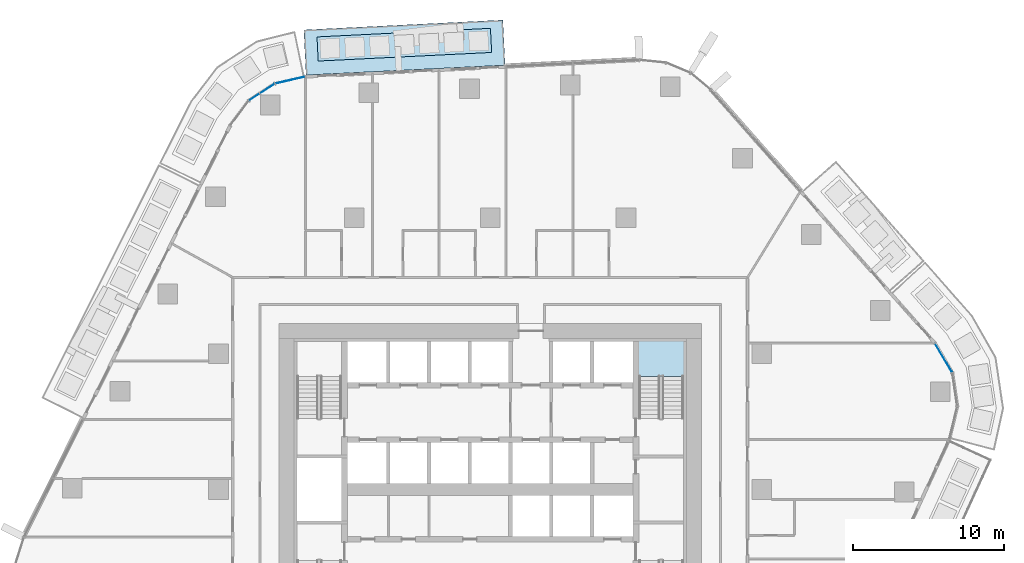
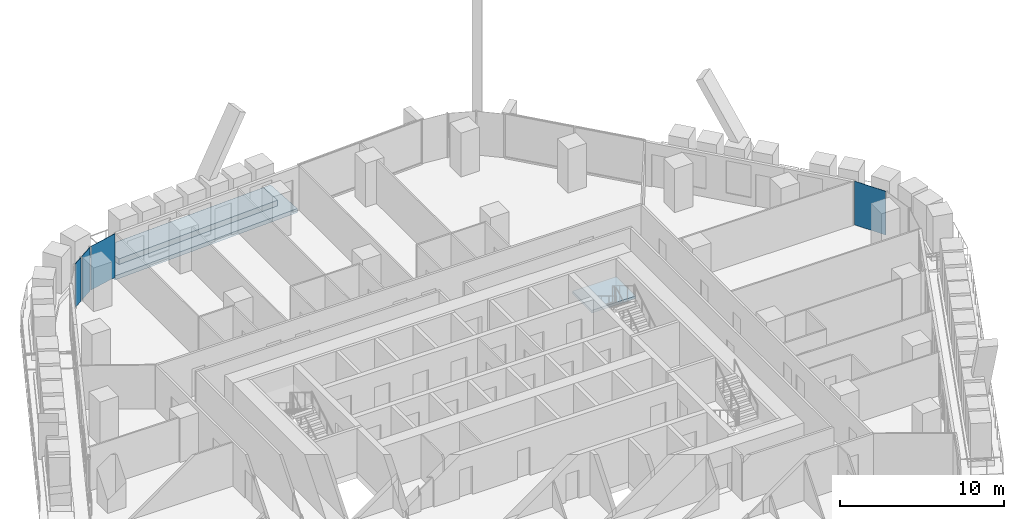
# One storey, part 11 of 26: 4 plates, 3 slabs, 4 elements without a shape of their own.
"""IFC4 building model written with IfcOpenShell, lengths in metres."""

from ifc_helpers import new_model, si_unit, direction, frame, origin, origin_2d, place, context, subcontext, project, spatial, polyline, rectangle, outline, extrude, material, layer, layer_set, type_object, element, aggregate, save


model = new_model("IFC4")

# Units and contexts
model_context = context("Model", 3, precision=1e-05, world=origin(), true_north=direction((0.0, 1.0)))
body_context = subcontext(model_context, "Body", "Model", "MODEL_VIEW")
ifc_project = project(units=[si_unit("LENGTHUNIT", "METRE"), si_unit("AREAUNIT", "SQUARE_METRE"), si_unit("VOLUMEUNIT", "CUBIC_METRE"), si_unit("PLANEANGLEUNIT", "RADIAN"), si_unit("MASSUNIT", "GRAM", prefix="KILO")], contexts=[model_context])

# Site, building, storey
site_placement = place(None, origin())
site = spatial("IfcSite", under=ifc_project, at=site_placement, CompositionType="ELEMENT")
building_placement = place(site_placement, origin())
building = spatial("IfcBuilding", under=site, at=building_placement, Name="Dongbaek Canopy Tower", CompositionType="ELEMENT")
storey_placement = place(building_placement, frame((0.0, 0.0, 95.199951171875)))
storey = spatial("IfcBuildingStorey", under=building, at=storey_placement, Name="L19", CompositionType="ELEMENT", Elevation=95.199951171875)

# Slab
ifc_material_1 = material(Name="Concrete C40/50", Category="concrete")
ifc_layer_1 = layer(ifc_material_1, 0.300048828125)
ifc_layer_set_1 = layer_set([ifc_layer_1], Name="Balcony slab 300")
slab_type_1 = type_object("IfcSlabType", Name="Balcony slab 300", PredefinedType="FLOOR", material=ifc_layer_set_1)
slab_1_placement = place(storey_placement, frame((0.0, 0.0, -0.300048828125)))
element("IfcSlab", 1, at=slab_1_placement, inside=storey, type_object=slab_type_1, Name="Balcony L19 2", PredefinedType="FLOOR", context=body_context, shape_type="SweptSolid", body=[
    extrude(outline(polyline([(0.9873046875, 28.10986328125), (-12.201904296875, 27.455810546875), (-12.3505859375, 30.4521484375), (0.838623046875, 31.106201171875), (0.9873046875, 28.10986328125)])), origin(), (0.0, 0.0, 1.0), 0.300048828125),
])

# Curtain wall, plate
ifc_material_2 = material(Name="Aluminium 6063-T6 pale anodised", Category="aluminium")
ifc_layer_2 = layer(ifc_material_2, 0.199951171875)
ifc_layer_set_2 = layer_set([ifc_layer_2], Name="CW-1 unitised tower curtain wall")
curtain_wall_type = type_object("IfcCurtainWallType", Name="CW-1 unitised tower curtain wall", PredefinedType="NOTDEFINED", material=ifc_layer_set_2)
curtain_wall_1_placement = place(storey_placement, origin())
curtain_wall_1 = element("IfcCurtainWall", 2, at=curtain_wall_1_placement, inside=storey, type_object=curtain_wall_type, Name="CW-1 curtain wall K0.1", PredefinedType="NOTDEFINED")
ifc_material_3 = material(Name="Clear laminated glass", Category="glass")
ifc_layer_3 = layer(ifc_material_3, 0.028076171875)
ifc_layer_set_3 = layer_set([ifc_layer_3], Name="CW-1 glazed panel 28")
plate_type = type_object("IfcPlateType", Name="CW-1 glazed panel 28", PredefinedType="CURTAIN_PANEL", material=ifc_layer_set_3)
plate_1_placement = place(storey_placement, frame((30.03466796875, 8.721435546875, 0.0), z_axis=(0.0, 0.0, 1.0), x_axis=(-0.507378424112, 0.861723351631, 0.0)))
plate_1 = element("IfcPlate", 3, at=plate_1_placement, type_object=plate_type, Name="CW-1 panel K0.1.3.1", PredefinedType="CURTAIN_PANEL", context=body_context, shape_type="SweptSolid", body=[
    extrude(rectangle(XDim=2.182373046875, YDim=0.028076171875, at=origin_2d()), origin(), (0.0, 0.0, 1.0), 3.25),
])
aggregate(curtain_wall_1, [plate_1])

# Curtain wall, plates
curtain_wall_2_placement = place(storey_placement, origin())
curtain_wall_2 = element("IfcCurtainWall", 4, at=curtain_wall_2_placement, inside=storey, type_object=curtain_wall_type, Name="CW-1 curtain wall K2.1a", PredefinedType="NOTDEFINED")
plate_2_placement = place(storey_placement, frame((-13.249755859375, 27.12158203125, 0.0), z_axis=(0.0, 0.0, 1.0), x_axis=(-0.974641017133, -0.223774189134, 0.0)))
plate_2 = element("IfcPlate", 5, at=plate_2_placement, type_object=plate_type, Name="CW-1 panel K2.1a.1.1", PredefinedType="CURTAIN_PANEL", context=body_context, shape_type="SweptSolid", body=[
    extrude(rectangle(XDim=1.991943359375, YDim=0.028076171875, at=origin_2d()), origin(), (0.0, 0.0, 1.0), 3.25),
])
plate_3_placement = place(storey_placement, frame((-14.76611328125, 26.56005859375, 0.0), z_axis=(0.0, 0.0, 1.0), x_axis=(-0.837590534626, -0.546298541371, 0.0)))
plate_3 = element("IfcPlate", 6, at=plate_3_placement, type_object=plate_type, Name="CW-1 panel K2.1a.2.1", PredefinedType="CURTAIN_PANEL", context=body_context, shape_type="SweptSolid", body=[
    extrude(rectangle(XDim=1.121337890625, YDim=0.028076171875, at=origin_2d()), origin(), (0.0, 0.0, 1.0), 3.25),
])
aggregate(curtain_wall_2, [plate_2, plate_3])

# Curtain wall, plate
curtain_wall_3_placement = place(storey_placement, origin())
curtain_wall_3 = element("IfcCurtainWall", 7, at=curtain_wall_3_placement, inside=storey, type_object=curtain_wall_type, Name="CW-1 curtain wall K2.1b", PredefinedType="NOTDEFINED")
plate_4_placement = place(storey_placement, frame((-15.644775390625, 25.987060546875, 0.0), z_axis=(0.0, 0.0, 1.0), x_axis=(-0.837590534626, -0.546298541371, 0.0)))
plate_4 = element("IfcPlate", 8, at=plate_4_placement, type_object=plate_type, Name="CW-1 panel K2.1b.1.1", PredefinedType="CURTAIN_PANEL", context=body_context, shape_type="SweptSolid", body=[
    extrude(rectangle(XDim=0.74658203125, YDim=0.028076171875, at=origin_2d()), origin(), (0.0, 0.0, 1.0), 3.25),
])
aggregate(curtain_wall_3, [plate_4])

# Stair, slab
ifc_material_4 = material(Name="Concrete C40/50", Category="concrete")
stair_type = type_object("IfcStairType", Name="Core exit stair", PredefinedType="HALF_TURN_STAIR", material=ifc_material_4)
stair_placement = place(storey_placement, origin())
stair = element("IfcStair", 9, at=stair_placement, inside=storey, type_object=stair_type, Name="L19 exit stair A", PredefinedType="HALF_TURN_STAIR")
ifc_material_5 = material(Name="Concrete C40/50", Category="concrete")
ifc_layer_4 = layer(ifc_material_5, 0.199951171875)
ifc_layer_set_4 = layer_set([ifc_layer_4], Name="Core stair landing 200")
slab_type_2 = type_object("IfcSlabType", Name="Core stair landing 200", PredefinedType="LANDING", material=ifc_layer_set_4)
slab_2_placement = place(storey_placement, frame((0.0, 0.0, 1.650146484375)))
slab_2 = element("IfcSlab", 10, at=slab_2_placement, type_object=slab_type_2, Name="ST-A landing 1", PredefinedType="LANDING", context=body_context, shape_type="SweptSolid", body=[
    extrude(outline(polyline([(12.875, 7.5), (12.875, 9.875), (9.77490234375, 9.875), (9.77490234375, 7.5), (12.875, 7.5)])), origin(), (0.0, 0.0, 1.0), 0.199951171875),
])
aggregate(stair, [slab_2])

# Slab
ifc_material_6 = material(Name="Reinforced concrete C40/50 planter box with soil", Category="concrete")
ifc_layer_5 = layer(ifc_material_6, 0.419921875)
ifc_layer_set_5 = layer_set([ifc_layer_5], Name="Terrace planter box 1600 x 420")
slab_type_3 = type_object("IfcSlabType", Name="Terrace planter box 1600 x 420", PredefinedType="USERDEFINED", material=ifc_layer_set_5)
slab_3_placement = place(storey_placement, origin())
element("IfcSlab", 11, at=slab_3_placement, inside=storey, type_object=slab_type_3, Name="Balcony planter L19 2", ObjectType="PLANTER", PredefinedType="USERDEFINED", context=body_context, shape_type="SweptSolid", body=[
    extrude(outline(polyline([(0.09423828125, 28.956787109375), (-11.39697265625, 28.38671875), (-11.476318359375, 29.98486328125), (0.01513671875, 30.5546875), (0.09423828125, 28.956787109375)])), origin(), (0.0, 0.0, 1.0), 0.420166015625),
])

save(model, "model.ifc")
